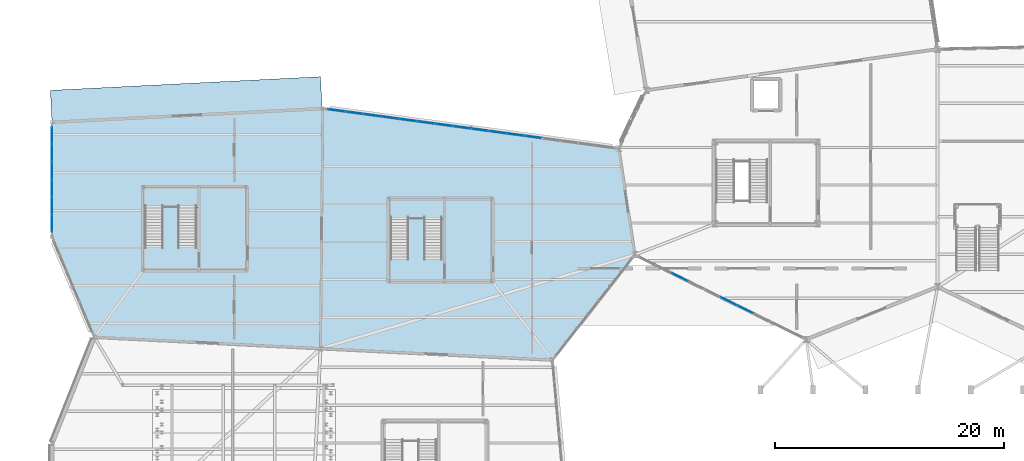
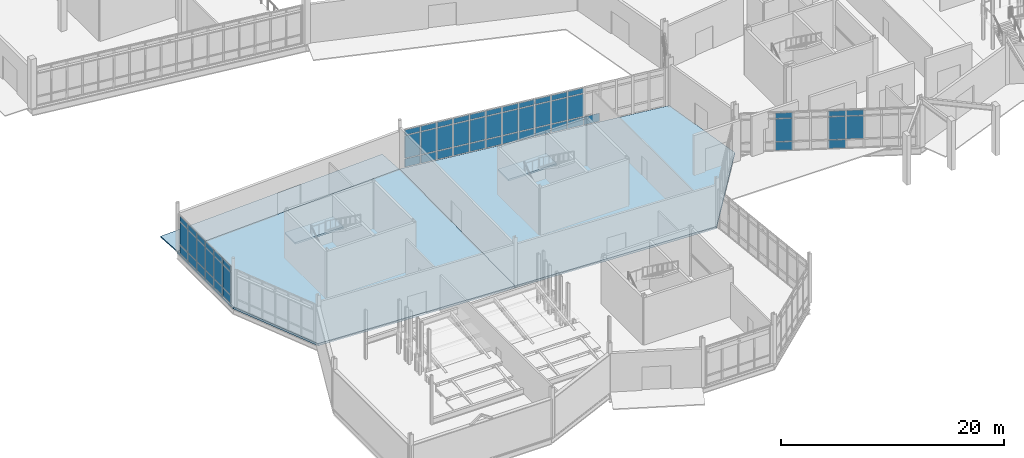
# One storey, part 70 of 113: 60 plates, 5 slabs, 5 elements without a shape of their own.
"""IFC4 building model written with IfcOpenShell, lengths in metres."""

from ifc_helpers import new_model, si_unit, direction, frame, origin, origin_2d, place, context, subcontext, project, spatial, polyline, rectangle, outline, extrude, material, layer, layer_set, type_object, element, aggregate, save


model = new_model("IFC4")

# Units and contexts
model_context = context("Model", 3, precision=1e-05, world=origin(), true_north=direction((0.0, 1.0)))
body_context = subcontext(model_context, "Body", "Model", "MODEL_VIEW")
ifc_project = project(units=[si_unit("LENGTHUNIT", "METRE"), si_unit("AREAUNIT", "SQUARE_METRE"), si_unit("VOLUMEUNIT", "CUBIC_METRE"), si_unit("PLANEANGLEUNIT", "RADIAN"), si_unit("MASSUNIT", "GRAM", prefix="KILO")], contexts=[model_context])

# Site, building, storey
site_placement = place(None, origin())
site = spatial("IfcSite", under=ifc_project, at=site_placement, CompositionType="ELEMENT")
building_placement = place(site_placement, origin())
building = spatial("IfcBuilding", under=site, at=building_placement, Name="Tameran Prism Museum", CompositionType="ELEMENT")
storey_placement = place(building_placement, origin())
storey = spatial("IfcBuildingStorey", under=building, at=storey_placement, Name="L00", CompositionType="ELEMENT", Elevation=0.0)

# Curtain wall, plates
ifc_material_1 = material(Name="Anodised Aluminium 6063-T6 and Cyclone Solar Glass", Category="aluminium")
curtain_wall_type_1 = type_object("IfcCurtainWallType", Name="CW-FAC-1597x422", PredefinedType="USERDEFINED", material=ifc_material_1)
curtain_wall_1_placement = place(storey_placement, origin())
curtain_wall_1 = element("IfcCurtainWall", 1, at=curtain_wall_1_placement, inside=storey, type_object=curtain_wall_type_1, Name="Unitised Curtain Wall CW-028", ObjectType="UNITISED CURTAIN WALL", PredefinedType="USERDEFINED")
ifc_material_2 = material(Name="Cyclone Laminated Solar Glass", Category="glass")
ifc_layer_1 = layer(ifc_material_2, 0.031982421875)
ifc_layer_set_1 = layer_set([ifc_layer_1])
plate_type = type_object("IfcPlateType", Name="CW-PNL-G32", PredefinedType="CURTAIN_PANEL", material=ifc_layer_set_1)
plate_1_placement = place(storey_placement, frame((60.6748046875, 25.427001953125, 1.03515625), z_axis=(0.0, 0.0, 1.0), x_axis=(-0.896819470069, 0.442396697666, 0.0)))
plate_1 = element("IfcPlate", 2, at=plate_1_placement, type_object=plate_type, Name="CW-028 panel 4.2", PredefinedType="CURTAIN_PANEL", context=body_context, shape_type="SweptSolid", body=[
    extrude(rectangle(XDim=1.526611328125, YDim=0.031982421875, at=origin_2d()), origin(), (0.0, 0.0, 1.0), 2.469970703125),
])
plate_2_placement = place(storey_placement, frame((60.6748046875, 25.427001953125, 3.5751953125), z_axis=(0.0, 0.0, 1.0), x_axis=(-0.896819470069, 0.442396697666, 0.0)))
plate_2 = element("IfcPlate", 3, at=plate_2_placement, type_object=plate_type, Name="CW-028 panel 4.3", PredefinedType="CURTAIN_PANEL", context=body_context, shape_type="SweptSolid", body=[
    extrude(rectangle(XDim=1.526611328125, YDim=0.031982421875, at=origin_2d()), origin(), (0.0, 0.0, 1.0), 0.574951171875),
])
plate_3_placement = place(storey_placement, frame((59.242919921875, 26.13330078125, 0.070068359375), z_axis=(0.0, 0.0, 1.0), x_axis=(-0.896819470069, 0.442396697666, 0.0)))
plate_3 = element("IfcPlate", 4, at=plate_3_placement, type_object=plate_type, Name="CW-028 panel 5.1", PredefinedType="CURTAIN_PANEL", context=body_context, shape_type="SweptSolid", body=[
    extrude(rectangle(XDim=1.526611328125, YDim=0.031982421875, at=origin_2d()), origin(), (0.0, 0.0, 1.0), 0.89501953125),
])
plate_4_placement = place(storey_placement, frame((59.242919921875, 26.13330078125, 1.03515625), z_axis=(0.0, 0.0, 1.0), x_axis=(-0.896819470069, 0.442396697666, 0.0)))
plate_4 = element("IfcPlate", 5, at=plate_4_placement, type_object=plate_type, Name="CW-028 panel 5.2", PredefinedType="CURTAIN_PANEL", context=body_context, shape_type="SweptSolid", body=[
    extrude(rectangle(XDim=1.526611328125, YDim=0.031982421875, at=origin_2d()), origin(), (0.0, 0.0, 1.0), 2.469970703125),
])
plate_5_placement = place(storey_placement, frame((59.242919921875, 26.13330078125, 3.5751953125), z_axis=(0.0, 0.0, 1.0), x_axis=(-0.896819470069, 0.442396697666, 0.0)))
plate_5 = element("IfcPlate", 6, at=plate_5_placement, type_object=plate_type, Name="CW-028 panel 5.3", PredefinedType="CURTAIN_PANEL", context=body_context, shape_type="SweptSolid", body=[
    extrude(rectangle(XDim=1.526611328125, YDim=0.031982421875, at=origin_2d()), origin(), (0.0, 0.0, 1.0), 0.574951171875),
])
plate_6_placement = place(storey_placement, frame((54.947509765625, 28.252197265625, 0.070068359375), z_axis=(0.0, 0.0, 1.0), x_axis=(-0.896819470069, 0.442396697666, 0.0)))
plate_6 = element("IfcPlate", 7, at=plate_6_placement, type_object=plate_type, Name="CW-028 panel 8.1", PredefinedType="CURTAIN_PANEL", context=body_context, shape_type="SweptSolid", body=[
    extrude(rectangle(XDim=1.526611328125, YDim=0.031982421875, at=origin_2d()), origin(), (0.0, 0.0, 1.0), 0.89501953125),
])
plate_7_placement = place(storey_placement, frame((54.947509765625, 28.252197265625, 1.03515625), z_axis=(0.0, 0.0, 1.0), x_axis=(-0.896819470069, 0.442396697666, 0.0)))
plate_7 = element("IfcPlate", 8, at=plate_7_placement, type_object=plate_type, Name="CW-028 panel 8.2", PredefinedType="CURTAIN_PANEL", context=body_context, shape_type="SweptSolid", body=[
    extrude(rectangle(XDim=1.526611328125, YDim=0.031982421875, at=origin_2d()), origin(), (0.0, 0.0, 1.0), 2.469970703125),
])
plate_8_placement = place(storey_placement, frame((54.947509765625, 28.252197265625, 3.5751953125), z_axis=(0.0, 0.0, 1.0), x_axis=(-0.896819470069, 0.442396697666, 0.0)))
plate_8 = element("IfcPlate", 9, at=plate_8_placement, type_object=plate_type, Name="CW-028 panel 8.3", PredefinedType="CURTAIN_PANEL", context=body_context, shape_type="SweptSolid", body=[
    extrude(rectangle(XDim=1.526611328125, YDim=0.031982421875, at=origin_2d()), origin(), (0.0, 0.0, 1.0), 0.574951171875),
])
aggregate(curtain_wall_1, [plate_1, plate_2, plate_3, plate_4, plate_5, plate_6, plate_7, plate_8])

ifc_material_3 = material(Name="Anodised Aluminium 6063-T6 and Cyclone Solar Glass", Category="aluminium")
curtain_wall_type_2 = type_object("IfcCurtainWallType", Name="CW-FAC-930x422", PredefinedType="USERDEFINED", material=ifc_material_3)
curtain_wall_2_placement = place(storey_placement, origin())
curtain_wall_2 = element("IfcCurtainWall", 10, at=curtain_wall_2_placement, inside=storey, type_object=curtain_wall_type_2, Name="Unitised Curtain Wall CW-046", ObjectType="UNITISED CURTAIN WALL", PredefinedType="USERDEFINED")
plate_9_placement = place(storey_placement, frame((0.0, 32.945068359375, 0.080078125), z_axis=(0.0, 0.0, 1.0), x_axis=(0.0, 1.0, 0.0)))
plate_9 = element("IfcPlate", 11, at=plate_9_placement, type_object=plate_type, Name="CW-046 panel 1.1", PredefinedType="CURTAIN_PANEL", context=body_context, shape_type="SweptSolid", body=[
    extrude(rectangle(XDim=1.429931640625, YDim=0.031982421875, at=origin_2d()), origin(), (0.0, 0.0, 1.0), 0.8798828125),
])
plate_10_placement = place(storey_placement, frame((0.0, 32.945068359375, 1.0400390625), z_axis=(0.0, 0.0, 1.0), x_axis=(0.0, 1.0, 0.0)))
plate_10 = element("IfcPlate", 12, at=plate_10_placement, type_object=plate_type, Name="CW-046 panel 1.2", PredefinedType="CURTAIN_PANEL", context=body_context, shape_type="SweptSolid", body=[
    extrude(rectangle(XDim=1.429931640625, YDim=0.031982421875, at=origin_2d()), origin(), (0.0, 0.0, 1.0), 2.4599609375),
])
plate_11_placement = place(storey_placement, frame((0.0, 32.945068359375, 3.580078125), z_axis=(0.0, 0.0, 1.0), x_axis=(0.0, 1.0, 0.0)))
plate_11 = element("IfcPlate", 13, at=plate_11_placement, type_object=plate_type, Name="CW-046 panel 1.3", PredefinedType="CURTAIN_PANEL", context=body_context, shape_type="SweptSolid", body=[
    extrude(rectangle(XDim=1.429931640625, YDim=0.031982421875, at=origin_2d()), origin(), (0.0, 0.0, 1.0), 0.56005859375),
])
plate_12_placement = place(storey_placement, frame((0.0, 34.47509765625, 0.080078125), z_axis=(0.0, 0.0, 1.0), x_axis=(0.0, 1.0, 0.0)))
plate_12 = element("IfcPlate", 14, at=plate_12_placement, type_object=plate_type, Name="CW-046 panel 2.1", PredefinedType="CURTAIN_PANEL", context=body_context, shape_type="SweptSolid", body=[
    extrude(rectangle(XDim=1.469970703125, YDim=0.031982421875, at=origin_2d()), origin(), (0.0, 0.0, 1.0), 0.8798828125),
])
plate_13_placement = place(storey_placement, frame((0.0, 34.47509765625, 1.0400390625), z_axis=(0.0, 0.0, 1.0), x_axis=(0.0, 1.0, 0.0)))
plate_13 = element("IfcPlate", 15, at=plate_13_placement, type_object=plate_type, Name="CW-046 panel 2.2", PredefinedType="CURTAIN_PANEL", context=body_context, shape_type="SweptSolid", body=[
    extrude(rectangle(XDim=1.469970703125, YDim=0.031982421875, at=origin_2d()), origin(), (0.0, 0.0, 1.0), 2.4599609375),
])
plate_14_placement = place(storey_placement, frame((0.0, 34.47509765625, 3.580078125), z_axis=(0.0, 0.0, 1.0), x_axis=(0.0, 1.0, 0.0)))
plate_14 = element("IfcPlate", 16, at=plate_14_placement, type_object=plate_type, Name="CW-046 panel 2.3", PredefinedType="CURTAIN_PANEL", context=body_context, shape_type="SweptSolid", body=[
    extrude(rectangle(XDim=1.469970703125, YDim=0.031982421875, at=origin_2d()), origin(), (0.0, 0.0, 1.0), 0.56005859375),
])
plate_15_placement = place(storey_placement, frame((0.0, 36.02490234375, 0.080078125), z_axis=(0.0, 0.0, 1.0), x_axis=(0.0, 1.0, 0.0)))
plate_15 = element("IfcPlate", 17, at=plate_15_placement, type_object=plate_type, Name="CW-046 panel 3.1", PredefinedType="CURTAIN_PANEL", context=body_context, shape_type="SweptSolid", body=[
    extrude(rectangle(XDim=1.469970703125, YDim=0.031982421875, at=origin_2d()), origin(), (0.0, 0.0, 1.0), 0.8798828125),
])
plate_16_placement = place(storey_placement, frame((0.0, 36.02490234375, 1.0400390625), z_axis=(0.0, 0.0, 1.0), x_axis=(0.0, 1.0, 0.0)))
plate_16 = element("IfcPlate", 18, at=plate_16_placement, type_object=plate_type, Name="CW-046 panel 3.2", PredefinedType="CURTAIN_PANEL", context=body_context, shape_type="SweptSolid", body=[
    extrude(rectangle(XDim=1.469970703125, YDim=0.031982421875, at=origin_2d()), origin(), (0.0, 0.0, 1.0), 2.4599609375),
])
plate_17_placement = place(storey_placement, frame((0.0, 36.02490234375, 3.580078125), z_axis=(0.0, 0.0, 1.0), x_axis=(0.0, 1.0, 0.0)))
plate_17 = element("IfcPlate", 19, at=plate_17_placement, type_object=plate_type, Name="CW-046 panel 3.3", PredefinedType="CURTAIN_PANEL", context=body_context, shape_type="SweptSolid", body=[
    extrude(rectangle(XDim=1.469970703125, YDim=0.031982421875, at=origin_2d()), origin(), (0.0, 0.0, 1.0), 0.56005859375),
])
plate_18_placement = place(storey_placement, frame((0.0, 37.574951171875, 0.080078125), z_axis=(0.0, 0.0, 1.0), x_axis=(0.0, 1.0, 0.0)))
plate_18 = element("IfcPlate", 20, at=plate_18_placement, type_object=plate_type, Name="CW-046 panel 4.1", PredefinedType="CURTAIN_PANEL", context=body_context, shape_type="SweptSolid", body=[
    extrude(rectangle(XDim=1.469970703125, YDim=0.031982421875, at=origin_2d()), origin(), (0.0, 0.0, 1.0), 0.8798828125),
])
plate_19_placement = place(storey_placement, frame((0.0, 37.574951171875, 1.0400390625), z_axis=(0.0, 0.0, 1.0), x_axis=(0.0, 1.0, 0.0)))
plate_19 = element("IfcPlate", 21, at=plate_19_placement, type_object=plate_type, Name="CW-046 panel 4.2", PredefinedType="CURTAIN_PANEL", context=body_context, shape_type="SweptSolid", body=[
    extrude(rectangle(XDim=1.469970703125, YDim=0.031982421875, at=origin_2d()), origin(), (0.0, 0.0, 1.0), 2.4599609375),
])
plate_20_placement = place(storey_placement, frame((0.0, 37.574951171875, 3.580078125), z_axis=(0.0, 0.0, 1.0), x_axis=(0.0, 1.0, 0.0)))
plate_20 = element("IfcPlate", 22, at=plate_20_placement, type_object=plate_type, Name="CW-046 panel 4.3", PredefinedType="CURTAIN_PANEL", context=body_context, shape_type="SweptSolid", body=[
    extrude(rectangle(XDim=1.469970703125, YDim=0.031982421875, at=origin_2d()), origin(), (0.0, 0.0, 1.0), 0.56005859375),
])
plate_21_placement = place(storey_placement, frame((0.0, 39.125, 0.080078125), z_axis=(0.0, 0.0, 1.0), x_axis=(0.0, 1.0, 0.0)))
plate_21 = element("IfcPlate", 23, at=plate_21_placement, type_object=plate_type, Name="CW-046 panel 5.1", PredefinedType="CURTAIN_PANEL", context=body_context, shape_type="SweptSolid", body=[
    extrude(rectangle(XDim=1.469970703125, YDim=0.031982421875, at=origin_2d()), origin(), (0.0, 0.0, 1.0), 0.8798828125),
])
plate_22_placement = place(storey_placement, frame((0.0, 39.125, 1.0400390625), z_axis=(0.0, 0.0, 1.0), x_axis=(0.0, 1.0, 0.0)))
plate_22 = element("IfcPlate", 24, at=plate_22_placement, type_object=plate_type, Name="CW-046 panel 5.2", PredefinedType="CURTAIN_PANEL", context=body_context, shape_type="SweptSolid", body=[
    extrude(rectangle(XDim=1.469970703125, YDim=0.031982421875, at=origin_2d()), origin(), (0.0, 0.0, 1.0), 2.4599609375),
])
plate_23_placement = place(storey_placement, frame((0.0, 39.125, 3.580078125), z_axis=(0.0, 0.0, 1.0), x_axis=(0.0, 1.0, 0.0)))
plate_23 = element("IfcPlate", 25, at=plate_23_placement, type_object=plate_type, Name="CW-046 panel 5.3", PredefinedType="CURTAIN_PANEL", context=body_context, shape_type="SweptSolid", body=[
    extrude(rectangle(XDim=1.469970703125, YDim=0.031982421875, at=origin_2d()), origin(), (0.0, 0.0, 1.0), 0.56005859375),
])
plate_24_placement = place(storey_placement, frame((0.0, 40.655029296875, 0.080078125), z_axis=(0.0, 0.0, 1.0), x_axis=(0.0, 1.0, 0.0)))
plate_24 = element("IfcPlate", 26, at=plate_24_placement, type_object=plate_type, Name="CW-046 panel 6.1", PredefinedType="CURTAIN_PANEL", context=body_context, shape_type="SweptSolid", body=[
    extrude(rectangle(XDim=1.429931640625, YDim=0.031982421875, at=origin_2d()), origin(), (0.0, 0.0, 1.0), 0.8798828125),
])
plate_25_placement = place(storey_placement, frame((0.0, 40.655029296875, 1.0400390625), z_axis=(0.0, 0.0, 1.0), x_axis=(0.0, 1.0, 0.0)))
plate_25 = element("IfcPlate", 27, at=plate_25_placement, type_object=plate_type, Name="CW-046 panel 6.2", PredefinedType="CURTAIN_PANEL", context=body_context, shape_type="SweptSolid", body=[
    extrude(rectangle(XDim=1.429931640625, YDim=0.031982421875, at=origin_2d()), origin(), (0.0, 0.0, 1.0), 2.4599609375),
])
plate_26_placement = place(storey_placement, frame((0.0, 40.655029296875, 3.580078125), z_axis=(0.0, 0.0, 1.0), x_axis=(0.0, 1.0, 0.0)))
plate_26 = element("IfcPlate", 28, at=plate_26_placement, type_object=plate_type, Name="CW-046 panel 6.3", PredefinedType="CURTAIN_PANEL", context=body_context, shape_type="SweptSolid", body=[
    extrude(rectangle(XDim=1.429931640625, YDim=0.031982421875, at=origin_2d()), origin(), (0.0, 0.0, 1.0), 0.56005859375),
])
aggregate(curtain_wall_2, [plate_9, plate_10, plate_11, plate_12, plate_13, plate_14, plate_15, plate_16, plate_17, plate_18, plate_19, plate_20, plate_21, plate_22, plate_23, plate_24, plate_25, plate_26])

ifc_material_4 = material(Name="Anodised Aluminium 6063-T6 and Cyclone Solar Glass", Category="aluminium")
curtain_wall_type_3 = type_object("IfcCurtainWallType", Name="CW-FAC-2532x422", PredefinedType="USERDEFINED", material=ifc_material_4)
curtain_wall_3_placement = place(storey_placement, origin())
curtain_wall_3 = element("IfcCurtainWall", 29, at=curtain_wall_3_placement, inside=storey, type_object=curtain_wall_type_3, Name="Unitised Curtain Wall CW-049", ObjectType="UNITISED CURTAIN WALL", PredefinedType="USERDEFINED")
plate_27_placement = place(storey_placement, frame((24.90966796875, 42.836669921875, 0.0751953125), z_axis=(0.0, 0.0, 1.0), x_axis=(0.99099313883, -0.133912653592, 0.0)))
plate_27 = element("IfcPlate", 30, at=plate_27_placement, type_object=plate_type, Name="CW-049 panel 1.1", PredefinedType="CURTAIN_PANEL", context=body_context, shape_type="SweptSolid", body=[
    extrude(rectangle(XDim=1.4697265625, YDim=0.031982421875, at=origin_2d()), origin(), (0.0, 0.0, 1.0), 0.887451171875),
])
plate_28_placement = place(storey_placement, frame((24.90966796875, 42.836669921875, 1.03759765625), z_axis=(0.0, 0.0, 1.0), x_axis=(0.99099313883, -0.133912653592, 0.0)))
plate_28 = element("IfcPlate", 31, at=plate_28_placement, type_object=plate_type, Name="CW-049 panel 1.2", PredefinedType="CURTAIN_PANEL", context=body_context, shape_type="SweptSolid", body=[
    extrude(rectangle(XDim=1.4697265625, YDim=0.031982421875, at=origin_2d()), origin(), (0.0, 0.0, 1.0), 2.465087890625),
])
plate_29_placement = place(storey_placement, frame((24.90966796875, 42.836669921875, 3.57763671875), z_axis=(0.0, 0.0, 1.0), x_axis=(0.99099313883, -0.133912653592, 0.0)))
plate_29 = element("IfcPlate", 32, at=plate_29_placement, type_object=plate_type, Name="CW-049 panel 1.3", PredefinedType="CURTAIN_PANEL", context=body_context, shape_type="SweptSolid", body=[
    extrude(rectangle(XDim=1.4697265625, YDim=0.031982421875, at=origin_2d()), origin(), (0.0, 0.0, 1.0), 0.5673828125),
])
plate_30_placement = place(storey_placement, frame((26.458984375, 42.627197265625, 0.0751953125), z_axis=(0.0, 0.0, 1.0), x_axis=(0.99099313883, -0.133912653592, 0.0)))
plate_30 = element("IfcPlate", 33, at=plate_30_placement, type_object=plate_type, Name="CW-049 panel 2.1", PredefinedType="CURTAIN_PANEL", context=body_context, shape_type="SweptSolid", body=[
    extrude(rectangle(XDim=1.507080078125, YDim=0.031982421875, at=origin_2d()), origin(), (0.0, 0.0, 1.0), 0.887451171875),
])
plate_31_placement = place(storey_placement, frame((26.458984375, 42.627197265625, 1.03759765625), z_axis=(0.0, 0.0, 1.0), x_axis=(0.99099313883, -0.133912653592, 0.0)))
plate_31 = element("IfcPlate", 34, at=plate_31_placement, type_object=plate_type, Name="CW-049 panel 2.2", PredefinedType="CURTAIN_PANEL", context=body_context, shape_type="SweptSolid", body=[
    extrude(rectangle(XDim=1.507080078125, YDim=0.031982421875, at=origin_2d()), origin(), (0.0, 0.0, 1.0), 2.465087890625),
])
plate_32_placement = place(storey_placement, frame((26.458984375, 42.627197265625, 3.57763671875), z_axis=(0.0, 0.0, 1.0), x_axis=(0.99099313883, -0.133912653592, 0.0)))
plate_32 = element("IfcPlate", 35, at=plate_32_placement, type_object=plate_type, Name="CW-049 panel 2.3", PredefinedType="CURTAIN_PANEL", context=body_context, shape_type="SweptSolid", body=[
    extrude(rectangle(XDim=1.507080078125, YDim=0.031982421875, at=origin_2d()), origin(), (0.0, 0.0, 1.0), 0.5673828125),
])
plate_33_placement = place(storey_placement, frame((28.02685546875, 42.415283203125, 0.0751953125), z_axis=(0.0, 0.0, 1.0), x_axis=(0.99099313883, -0.133912653592, 0.0)))
plate_33 = element("IfcPlate", 36, at=plate_33_placement, type_object=plate_type, Name="CW-049 panel 3.1", PredefinedType="CURTAIN_PANEL", context=body_context, shape_type="SweptSolid", body=[
    extrude(rectangle(XDim=1.507080078125, YDim=0.031982421875, at=origin_2d()), origin(), (0.0, 0.0, 1.0), 0.887451171875),
])
plate_34_placement = place(storey_placement, frame((28.02685546875, 42.415283203125, 1.03759765625), z_axis=(0.0, 0.0, 1.0), x_axis=(0.99099313883, -0.133912653592, 0.0)))
plate_34 = element("IfcPlate", 37, at=plate_34_placement, type_object=plate_type, Name="CW-049 panel 3.2", PredefinedType="CURTAIN_PANEL", context=body_context, shape_type="SweptSolid", body=[
    extrude(rectangle(XDim=1.507080078125, YDim=0.031982421875, at=origin_2d()), origin(), (0.0, 0.0, 1.0), 2.465087890625),
])
plate_35_placement = place(storey_placement, frame((28.02685546875, 42.415283203125, 3.57763671875), z_axis=(0.0, 0.0, 1.0), x_axis=(0.99099313883, -0.133912653592, 0.0)))
plate_35 = element("IfcPlate", 38, at=plate_35_placement, type_object=plate_type, Name="CW-049 panel 3.3", PredefinedType="CURTAIN_PANEL", context=body_context, shape_type="SweptSolid", body=[
    extrude(rectangle(XDim=1.507080078125, YDim=0.031982421875, at=origin_2d()), origin(), (0.0, 0.0, 1.0), 0.5673828125),
])
plate_36_placement = place(storey_placement, frame((29.5947265625, 42.203369140625, 0.0751953125), z_axis=(0.0, 0.0, 1.0), x_axis=(0.99099313883, -0.133912653592, 0.0)))
plate_36 = element("IfcPlate", 39, at=plate_36_placement, type_object=plate_type, Name="CW-049 panel 4.1", PredefinedType="CURTAIN_PANEL", context=body_context, shape_type="SweptSolid", body=[
    extrude(rectangle(XDim=1.507080078125, YDim=0.031982421875, at=origin_2d()), origin(), (0.0, 0.0, 1.0), 0.887451171875),
])
plate_37_placement = place(storey_placement, frame((29.5947265625, 42.203369140625, 1.03759765625), z_axis=(0.0, 0.0, 1.0), x_axis=(0.99099313883, -0.133912653592, 0.0)))
plate_37 = element("IfcPlate", 40, at=plate_37_placement, type_object=plate_type, Name="CW-049 panel 4.2", PredefinedType="CURTAIN_PANEL", context=body_context, shape_type="SweptSolid", body=[
    extrude(rectangle(XDim=1.507080078125, YDim=0.031982421875, at=origin_2d()), origin(), (0.0, 0.0, 1.0), 2.465087890625),
])
plate_38_placement = place(storey_placement, frame((29.5947265625, 42.203369140625, 3.57763671875), z_axis=(0.0, 0.0, 1.0), x_axis=(0.99099313883, -0.133912653592, 0.0)))
plate_38 = element("IfcPlate", 41, at=plate_38_placement, type_object=plate_type, Name="CW-049 panel 4.3", PredefinedType="CURTAIN_PANEL", context=body_context, shape_type="SweptSolid", body=[
    extrude(rectangle(XDim=1.507080078125, YDim=0.031982421875, at=origin_2d()), origin(), (0.0, 0.0, 1.0), 0.5673828125),
])
plate_39_placement = place(storey_placement, frame((31.16259765625, 41.991455078125, 0.0751953125), z_axis=(0.0, 0.0, 1.0), x_axis=(0.99099313883, -0.133912653592, 0.0)))
plate_39 = element("IfcPlate", 42, at=plate_39_placement, type_object=plate_type, Name="CW-049 panel 5.1", PredefinedType="CURTAIN_PANEL", context=body_context, shape_type="SweptSolid", body=[
    extrude(rectangle(XDim=1.507080078125, YDim=0.031982421875, at=origin_2d()), origin(), (0.0, 0.0, 1.0), 0.887451171875),
])
plate_40_placement = place(storey_placement, frame((31.16259765625, 41.991455078125, 1.03759765625), z_axis=(0.0, 0.0, 1.0), x_axis=(0.99099313883, -0.133912653592, 0.0)))
plate_40 = element("IfcPlate", 43, at=plate_40_placement, type_object=plate_type, Name="CW-049 panel 5.2", PredefinedType="CURTAIN_PANEL", context=body_context, shape_type="SweptSolid", body=[
    extrude(rectangle(XDim=1.507080078125, YDim=0.031982421875, at=origin_2d()), origin(), (0.0, 0.0, 1.0), 2.465087890625),
])
plate_41_placement = place(storey_placement, frame((31.16259765625, 41.991455078125, 3.57763671875), z_axis=(0.0, 0.0, 1.0), x_axis=(0.99099313883, -0.133912653592, 0.0)))
plate_41 = element("IfcPlate", 44, at=plate_41_placement, type_object=plate_type, Name="CW-049 panel 5.3", PredefinedType="CURTAIN_PANEL", context=body_context, shape_type="SweptSolid", body=[
    extrude(rectangle(XDim=1.507080078125, YDim=0.031982421875, at=origin_2d()), origin(), (0.0, 0.0, 1.0), 0.5673828125),
])
plate_42_placement = place(storey_placement, frame((32.730712890625, 41.77978515625, 0.0751953125), z_axis=(0.0, 0.0, 1.0), x_axis=(0.99099313883, -0.133912653592, 0.0)))
plate_42 = element("IfcPlate", 45, at=plate_42_placement, type_object=plate_type, Name="CW-049 panel 6.1", PredefinedType="CURTAIN_PANEL", context=body_context, shape_type="SweptSolid", body=[
    extrude(rectangle(XDim=1.507080078125, YDim=0.031982421875, at=origin_2d()), origin(), (0.0, 0.0, 1.0), 0.887451171875),
])
plate_43_placement = place(storey_placement, frame((32.730712890625, 41.77978515625, 1.03759765625), z_axis=(0.0, 0.0, 1.0), x_axis=(0.99099313883, -0.133912653592, 0.0)))
plate_43 = element("IfcPlate", 46, at=plate_43_placement, type_object=plate_type, Name="CW-049 panel 6.2", PredefinedType="CURTAIN_PANEL", context=body_context, shape_type="SweptSolid", body=[
    extrude(rectangle(XDim=1.507080078125, YDim=0.031982421875, at=origin_2d()), origin(), (0.0, 0.0, 1.0), 2.465087890625),
])
plate_44_placement = place(storey_placement, frame((32.730712890625, 41.77978515625, 3.57763671875), z_axis=(0.0, 0.0, 1.0), x_axis=(0.99099313883, -0.133912653592, 0.0)))
plate_44 = element("IfcPlate", 47, at=plate_44_placement, type_object=plate_type, Name="CW-049 panel 6.3", PredefinedType="CURTAIN_PANEL", context=body_context, shape_type="SweptSolid", body=[
    extrude(rectangle(XDim=1.507080078125, YDim=0.031982421875, at=origin_2d()), origin(), (0.0, 0.0, 1.0), 0.5673828125),
])
plate_45_placement = place(storey_placement, frame((34.298583984375, 41.56787109375, 0.0751953125), z_axis=(0.0, 0.0, 1.0), x_axis=(0.99099313883, -0.133912653592, 0.0)))
plate_45 = element("IfcPlate", 48, at=plate_45_placement, type_object=plate_type, Name="CW-049 panel 7.1", PredefinedType="CURTAIN_PANEL", context=body_context, shape_type="SweptSolid", body=[
    extrude(rectangle(XDim=1.507080078125, YDim=0.031982421875, at=origin_2d()), origin(), (0.0, 0.0, 1.0), 0.887451171875),
])
plate_46_placement = place(storey_placement, frame((34.298583984375, 41.56787109375, 1.03759765625), z_axis=(0.0, 0.0, 1.0), x_axis=(0.99099313883, -0.133912653592, 0.0)))
plate_46 = element("IfcPlate", 49, at=plate_46_placement, type_object=plate_type, Name="CW-049 panel 7.2", PredefinedType="CURTAIN_PANEL", context=body_context, shape_type="SweptSolid", body=[
    extrude(rectangle(XDim=1.507080078125, YDim=0.031982421875, at=origin_2d()), origin(), (0.0, 0.0, 1.0), 2.465087890625),
])
plate_47_placement = place(storey_placement, frame((34.298583984375, 41.56787109375, 3.57763671875), z_axis=(0.0, 0.0, 1.0), x_axis=(0.99099313883, -0.133912653592, 0.0)))
plate_47 = element("IfcPlate", 50, at=plate_47_placement, type_object=plate_type, Name="CW-049 panel 7.3", PredefinedType="CURTAIN_PANEL", context=body_context, shape_type="SweptSolid", body=[
    extrude(rectangle(XDim=1.507080078125, YDim=0.031982421875, at=origin_2d()), origin(), (0.0, 0.0, 1.0), 0.5673828125),
])
plate_48_placement = place(storey_placement, frame((35.866455078125, 41.35595703125, 0.0751953125), z_axis=(0.0, 0.0, 1.0), x_axis=(0.99099313883, -0.133912653592, 0.0)))
plate_48 = element("IfcPlate", 51, at=plate_48_placement, type_object=plate_type, Name="CW-049 panel 8.1", PredefinedType="CURTAIN_PANEL", context=body_context, shape_type="SweptSolid", body=[
    extrude(rectangle(XDim=1.507080078125, YDim=0.031982421875, at=origin_2d()), origin(), (0.0, 0.0, 1.0), 0.887451171875),
])
plate_49_placement = place(storey_placement, frame((35.866455078125, 41.35595703125, 1.03759765625), z_axis=(0.0, 0.0, 1.0), x_axis=(0.99099313883, -0.133912653592, 0.0)))
plate_49 = element("IfcPlate", 52, at=plate_49_placement, type_object=plate_type, Name="CW-049 panel 8.2", PredefinedType="CURTAIN_PANEL", context=body_context, shape_type="SweptSolid", body=[
    extrude(rectangle(XDim=1.507080078125, YDim=0.031982421875, at=origin_2d()), origin(), (0.0, 0.0, 1.0), 2.465087890625),
])
plate_50_placement = place(storey_placement, frame((35.866455078125, 41.35595703125, 3.57763671875), z_axis=(0.0, 0.0, 1.0), x_axis=(0.99099313883, -0.133912653592, 0.0)))
plate_50 = element("IfcPlate", 53, at=plate_50_placement, type_object=plate_type, Name="CW-049 panel 8.3", PredefinedType="CURTAIN_PANEL", context=body_context, shape_type="SweptSolid", body=[
    extrude(rectangle(XDim=1.507080078125, YDim=0.031982421875, at=origin_2d()), origin(), (0.0, 0.0, 1.0), 0.5673828125),
])
plate_51_placement = place(storey_placement, frame((37.4345703125, 41.14404296875, 0.0751953125), z_axis=(0.0, 0.0, 1.0), x_axis=(0.99099313883, -0.133912653592, 0.0)))
plate_51 = element("IfcPlate", 54, at=plate_51_placement, type_object=plate_type, Name="CW-049 panel 9.1", PredefinedType="CURTAIN_PANEL", context=body_context, shape_type="SweptSolid", body=[
    extrude(rectangle(XDim=1.507080078125, YDim=0.031982421875, at=origin_2d()), origin(), (0.0, 0.0, 1.0), 0.887451171875),
])
plate_52_placement = place(storey_placement, frame((37.4345703125, 41.14404296875, 1.03759765625), z_axis=(0.0, 0.0, 1.0), x_axis=(0.99099313883, -0.133912653592, 0.0)))
plate_52 = element("IfcPlate", 55, at=plate_52_placement, type_object=plate_type, Name="CW-049 panel 9.2", PredefinedType="CURTAIN_PANEL", context=body_context, shape_type="SweptSolid", body=[
    extrude(rectangle(XDim=1.507080078125, YDim=0.031982421875, at=origin_2d()), origin(), (0.0, 0.0, 1.0), 2.465087890625),
])
plate_53_placement = place(storey_placement, frame((37.4345703125, 41.14404296875, 3.57763671875), z_axis=(0.0, 0.0, 1.0), x_axis=(0.99099313883, -0.133912653592, 0.0)))
plate_53 = element("IfcPlate", 56, at=plate_53_placement, type_object=plate_type, Name="CW-049 panel 9.3", PredefinedType="CURTAIN_PANEL", context=body_context, shape_type="SweptSolid", body=[
    extrude(rectangle(XDim=1.507080078125, YDim=0.031982421875, at=origin_2d()), origin(), (0.0, 0.0, 1.0), 0.5673828125),
])
plate_54_placement = place(storey_placement, frame((39.00244140625, 40.93212890625, 0.0751953125), z_axis=(0.0, 0.0, 1.0), x_axis=(0.99099313883, -0.133912653592, 0.0)))
plate_54 = element("IfcPlate", 57, at=plate_54_placement, type_object=plate_type, Name="CW-049 panel 10.1", PredefinedType="CURTAIN_PANEL", context=body_context, shape_type="SweptSolid", body=[
    extrude(rectangle(XDim=1.507080078125, YDim=0.031982421875, at=origin_2d()), origin(), (0.0, 0.0, 1.0), 0.887451171875),
])
plate_55_placement = place(storey_placement, frame((39.00244140625, 40.93212890625, 1.03759765625), z_axis=(0.0, 0.0, 1.0), x_axis=(0.99099313883, -0.133912653592, 0.0)))
plate_55 = element("IfcPlate", 58, at=plate_55_placement, type_object=plate_type, Name="CW-049 panel 10.2", PredefinedType="CURTAIN_PANEL", context=body_context, shape_type="SweptSolid", body=[
    extrude(rectangle(XDim=1.507080078125, YDim=0.031982421875, at=origin_2d()), origin(), (0.0, 0.0, 1.0), 2.465087890625),
])
plate_56_placement = place(storey_placement, frame((39.00244140625, 40.93212890625, 3.57763671875), z_axis=(0.0, 0.0, 1.0), x_axis=(0.99099313883, -0.133912653592, 0.0)))
plate_56 = element("IfcPlate", 59, at=plate_56_placement, type_object=plate_type, Name="CW-049 panel 10.3", PredefinedType="CURTAIN_PANEL", context=body_context, shape_type="SweptSolid", body=[
    extrude(rectangle(XDim=1.507080078125, YDim=0.031982421875, at=origin_2d()), origin(), (0.0, 0.0, 1.0), 0.5673828125),
])
plate_57_placement = place(storey_placement, frame((40.5703125, 40.72021484375, 0.0751953125), z_axis=(0.0, 0.0, 1.0), x_axis=(0.99099313883, -0.133912653592, 0.0)))
plate_57 = element("IfcPlate", 60, at=plate_57_placement, type_object=plate_type, Name="CW-049 panel 11.1", PredefinedType="CURTAIN_PANEL", context=body_context, shape_type="SweptSolid", body=[
    extrude(rectangle(XDim=1.507080078125, YDim=0.031982421875, at=origin_2d()), origin(), (0.0, 0.0, 1.0), 0.887451171875),
])
plate_58_placement = place(storey_placement, frame((40.5703125, 40.72021484375, 1.03759765625), z_axis=(0.0, 0.0, 1.0), x_axis=(0.99099313883, -0.133912653592, 0.0)))
plate_58 = element("IfcPlate", 61, at=plate_58_placement, type_object=plate_type, Name="CW-049 panel 11.2", PredefinedType="CURTAIN_PANEL", context=body_context, shape_type="SweptSolid", body=[
    extrude(rectangle(XDim=1.507080078125, YDim=0.031982421875, at=origin_2d()), origin(), (0.0, 0.0, 1.0), 2.465087890625),
])
plate_59_placement = place(storey_placement, frame((40.5703125, 40.72021484375, 3.57763671875), z_axis=(0.0, 0.0, 1.0), x_axis=(0.99099313883, -0.133912653592, 0.0)))
plate_59 = element("IfcPlate", 62, at=plate_59_placement, type_object=plate_type, Name="CW-049 panel 11.3", PredefinedType="CURTAIN_PANEL", context=body_context, shape_type="SweptSolid", body=[
    extrude(rectangle(XDim=1.507080078125, YDim=0.031982421875, at=origin_2d()), origin(), (0.0, 0.0, 1.0), 0.5673828125),
])
plate_60_placement = place(storey_placement, frame((42.13818359375, 40.508544921875, 0.0751953125), z_axis=(0.0, 0.0, 1.0), x_axis=(0.99099313883, -0.133912653592, 0.0)))
plate_60 = element("IfcPlate", 63, at=plate_60_placement, type_object=plate_type, Name="CW-049 panel 12.1", PredefinedType="CURTAIN_PANEL", context=body_context, shape_type="SweptSolid", body=[
    extrude(rectangle(XDim=1.507080078125, YDim=0.031982421875, at=origin_2d()), origin(), (0.0, 0.0, 1.0), 0.887451171875),
])
aggregate(curtain_wall_3, [plate_27, plate_28, plate_29, plate_30, plate_31, plate_32, plate_33, plate_34, plate_35, plate_36, plate_37, plate_38, plate_39, plate_40, plate_41, plate_42, plate_43, plate_44, plate_45, plate_46, plate_47, plate_48, plate_49, plate_50, plate_51, plate_52, plate_53, plate_54, plate_55, plate_56, plate_57, plate_58, plate_59, plate_60])

# Slabs
ifc_material_5 = material(Name="Concrete N40 (40 MPa)", Category="concrete")
ifc_layer_2 = layer(ifc_material_5, 0.239990234375)
ifc_layer_set_2 = layer_set([ifc_layer_2])
slab_type_1 = type_object("IfcSlabType", Name="SL-FLR-240", PredefinedType="FLOOR", material=ifc_layer_set_2)
slab_1_placement = place(storey_placement, frame((0.0, 0.0, -0.239990234375)))
element("IfcSlab", 64, at=slab_1_placement, inside=storey, type_object=slab_type_1, Name="Floor Slab FS-P13-L00", PredefinedType="FLOOR", context=body_context, shape_type="SweptSolid", body=[
    extrude(outline(polyline([(23.699951171875, 43.0), (0.0, 41.800048828125), (0.0, 31.800048828125), (3.699951171875, 23.0), (23.5, 22.0), (23.699951171875, 43.0)])), origin(), (0.0, 0.0, 1.0), 0.239990234375),
])
slab_2_placement = place(storey_placement, frame((0.0, 0.0, -0.239990234375)))
element("IfcSlab", 65, at=slab_2_placement, inside=storey, type_object=slab_type_1, Name="Floor Slab FS-P14-L00", PredefinedType="FLOOR", context=body_context, shape_type="SweptSolid", body=[
    extrude(outline(polyline([(23.5, 22.0), (43.800048828125, 21.0), (51.0, 30.199951171875), (49.60009765625, 39.5), (23.699951171875, 43.0), (23.5, 22.0)])), origin(), (0.0, 0.0, 1.0), 0.239990234375),
])

# Stair, slab
ifc_material_6 = material(Name="Concrete N40 (40 MPa)", Category="concrete")
stair_type = type_object("IfcStairType", Name="ST-CORE-54", PredefinedType="HALF_TURN_STAIR", material=ifc_material_6)
stair_1_placement = place(storey_placement, origin())
stair_1 = element("IfcStair", 66, at=stair_1_placement, inside=storey, type_object=stair_type, Name="Fire-Isolated Stair ST-10-L00", PredefinedType="HALF_TURN_STAIR")
ifc_material_7 = material(Name="Concrete N40 (40 MPa)", Category="concrete")
ifc_layer_3 = layer(ifc_material_7, 0.18505859375)
ifc_layer_set_3 = layer_set([ifc_layer_3])
slab_type_2 = type_object("IfcSlabType", Name="SL-LND-185", PredefinedType="LANDING", material=ifc_layer_set_3)
slab_3_placement = place(storey_placement, frame((0.0, 0.0, 2.514892578125)))
slab_3 = element("IfcSlab", 67, at=slab_3_placement, type_object=slab_type_2, Name="ST-10-L00 landing 1", PredefinedType="LANDING", context=body_context, shape_type="SweptSolid", body=[
    extrude(outline(polyline([(7.8798828125, 34.35009765625), (12.8701171875, 34.35009765625), (12.8701171875, 36.219970703125), (7.8798828125, 36.219970703125), (7.8798828125, 34.35009765625)])), origin(), (0.0, 0.0, 1.0), 0.18505859375),
])
aggregate(stair_1, [slab_3])

stair_2_placement = place(storey_placement, origin())
stair_2 = element("IfcStair", 68, at=stair_2_placement, inside=storey, type_object=stair_type, Name="Fire-Isolated Stair ST-12-L00", PredefinedType="HALF_TURN_STAIR")
slab_4_placement = place(storey_placement, frame((0.0, 0.0, 2.514892578125)))
slab_4 = element("IfcSlab", 69, at=slab_4_placement, type_object=slab_type_2, Name="ST-12-L00 landing 1", PredefinedType="LANDING", context=body_context, shape_type="SweptSolid", body=[
    extrude(outline(polyline([(29.3798828125, 33.35009765625), (34.3701171875, 33.35009765625), (34.3701171875, 35.219970703125), (29.3798828125, 35.219970703125), (29.3798828125, 33.35009765625)])), origin(), (0.0, 0.0, 1.0), 0.18505859375),
])
aggregate(stair_2, [slab_4])

# Slab
ifc_material_8 = material(Name="Concrete N32 (32 MPa)", Category="concrete")
ifc_layer_4 = layer(ifc_material_8, 0.1201171875)
ifc_layer_set_4 = layer_set([ifc_layer_4])
slab_type_3 = type_object("IfcSlabType", Name="SL-PAV-120", PredefinedType="USERDEFINED", material=ifc_layer_set_4)
slab_5_placement = place(storey_placement, frame((0.0, 0.0, -0.1201171875)))
element("IfcSlab", 70, at=slab_5_placement, inside=storey, type_object=slab_type_3, Name="Exterior Forecourt Paving Slab AP-05", ObjectType="PAVING", PredefinedType="USERDEFINED", context=body_context, shape_type="SweptSolid", body=[
    extrude(outline(polyline([(-0.14208984375, 44.595947265625), (23.498046875, 45.79296875), (23.639892578125, 42.9970703125), (0.0, 41.800048828125), (-0.14208984375, 44.595947265625)])), origin(), (0.0, 0.0, 1.0), 0.1201171875),
])

save(model, "model.ifc")
